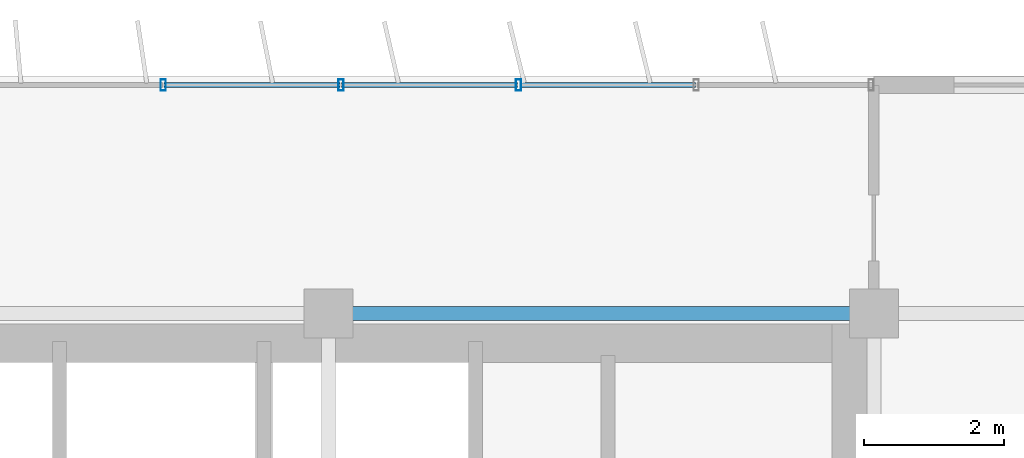
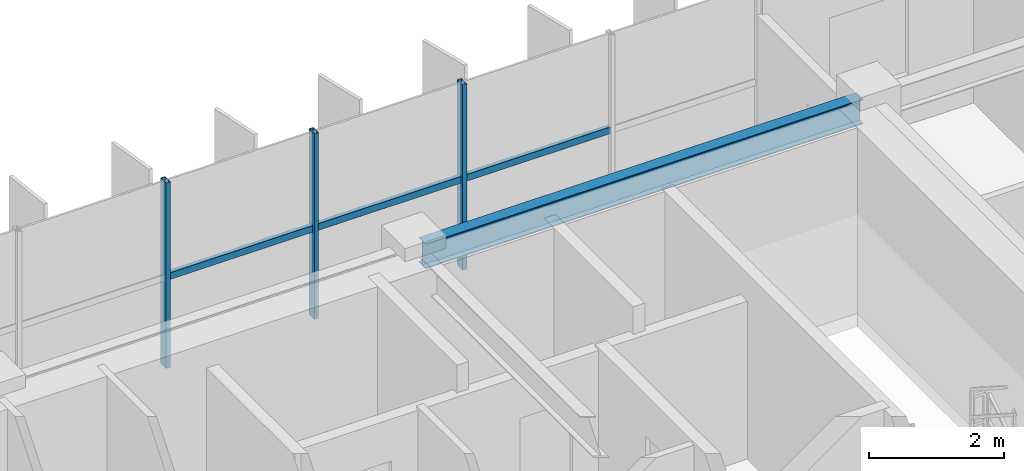
# One storey, part 12 of 23: 6 members, 1 beam, 1 element without a shape of its own.
"""IFC4 building model written with IfcOpenShell, lengths in metres."""

from ifc_helpers import new_model, si_unit, direction, frame, origin, origin_2d, place, context, subcontext, project, spatial, hollow_rectangle, i_section, extrude, source, transform, mapped, material, material_profile, profile_set, type_object, element, aggregate, save


model = new_model("IFC4")

# Units and contexts
model_context = context("Model", 3, precision=1e-05, world=origin(), true_north=direction((0.0, 1.0)))
body_context = subcontext(model_context, "Body", "Model", "MODEL_VIEW")
ifc_project = project(units=[si_unit("LENGTHUNIT", "METRE"), si_unit("AREAUNIT", "SQUARE_METRE"), si_unit("VOLUMEUNIT", "CUBIC_METRE"), si_unit("PLANEANGLEUNIT", "RADIAN"), si_unit("MASSUNIT", "GRAM", prefix="KILO")], contexts=[model_context])

# Site, building, storey
site_placement = place(None, origin())
site = spatial("IfcSite", under=ifc_project, at=site_placement, CompositionType="ELEMENT")
building_placement = place(site_placement, origin())
building = spatial("IfcBuilding", under=site, at=building_placement, Name="Trelvane Seafront Commons", CompositionType="ELEMENT")
storey_placement = place(building_placement, frame((0.0, 0.0, 219.300048828125)))
storey = spatial("IfcBuildingStorey", under=building, at=storey_placement, Name="L57", CompositionType="ELEMENT", Elevation=219.300048828125)

# Beam
ifc_material_1 = material(Name="Steel SM355 (S355)", Category="steel")
ifc_material_profile_1 = material_profile(ifc_material_1, i_section(OverallWidth=0.199951171875, OverallDepth=0.449951171875, WebThickness=0.009033203125, FlangeThickness=0.013916015625, at=origin_2d()), Name="H-450x200x9x14")
ifc_profile_set_1 = profile_set([ifc_material_profile_1], Name="Steel SM355 (S355)")
beam_type = type_object("IfcBeamType", Name="STR-SPD-H450", PredefinedType="SPANDREL", material=ifc_profile_set_1)
shared_shape_1 = source(origin(), body_context, "Body", "SweptSolid", [
    extrude(i_section(OverallWidth=0.199951171875, OverallDepth=0.449951171875, WebThickness=0.009033203125, FlangeThickness=0.013916015625, at=origin_2d()), origin(), (0.0, 0.0, 1.0), 7.5),
])
beam_placement = place(storey_placement, frame((51.14990234375, 45.10009765625, 3.135009765625), z_axis=(1.0, 0.0, 0.0), x_axis=(0.0, 1.0, 0.0)))
element("IfcBeam", 1, at=beam_placement, inside=storey, type_object=beam_type, Name="L57 Primary Girder G-27", PredefinedType="SPANDREL", context=body_context, shape_type="MappedRepresentation", body=[
    mapped(shared_shape_1, transform((0.0, 0.0, 0.0), x_axis=(1.0, 0.0, 0.0), y_axis=(0.0, 1.0, 0.0), z_axis=(0.0, 0.0, 1.0), scale=1.0)),
])

# Curtain wall, members
ifc_material_2 = material(Name="Anodised pale-silver aluminium", Category="aluminium")
curtain_wall_type = type_object("IfcCurtainWallType", Name="ARCH-CW5-UPTOWER", PredefinedType="NOTDEFINED", material=ifc_material_2)
curtain_wall_placement = place(storey_placement, origin())
curtain_wall = element("IfcCurtainWall", 2, at=curtain_wall_placement, inside=storey, type_object=curtain_wall_type, Name="CW-L57-0100", PredefinedType="NOTDEFINED")
ifc_material_profile_2 = material_profile(ifc_material_2, hollow_rectangle(XDim=0.070068359375, YDim=0.1201171875, WallThickness=0.00390625, at=origin_2d()), Name="TRAN-70x120x4")
ifc_profile_set_2 = profile_set([ifc_material_profile_2], Name="Anodised pale-silver aluminium")
member_type_1 = type_object("IfcMemberType", Name="ARCH-CW-TRAN-120", PredefinedType="USERDEFINED", material=ifc_profile_set_2)
shared_shape_2 = source(origin(), body_context, "Body", "SweptSolid", [
    extrude(hollow_rectangle(XDim=0.070068359375, YDim=0.1201171875, WallThickness=0.00390625, at=origin_2d()), origin(), (0.0, 0.0, 1.0), 2.51708984375),
])
member_1_placement = place(storey_placement, frame((51.1884765625, 48.3701171875, 1.613037109375), z_axis=(1.0, 0.0, 0.0), x_axis=(0.0, 1.0, 0.0)))
member_1 = element("IfcMember", 3, at=member_1_placement, type_object=member_type_1, Name="CW-L57-0100-T14", ObjectType="TRANSOM", PredefinedType="USERDEFINED", context=body_context, shape_type="MappedRepresentation", body=[
    mapped(shared_shape_2, transform((0.0, 0.0, 0.0), x_axis=(1.0, 0.0, 0.0), y_axis=(0.0, 1.0, 0.0), z_axis=(0.0, 0.0, 1.0), scale=1.0)),
])
shared_shape_3 = source(origin(), body_context, "Body", "SweptSolid", [
    extrude(hollow_rectangle(XDim=0.070068359375, YDim=0.1201171875, WallThickness=0.00390625, at=origin_2d()), origin(), (0.0, 0.0, 1.0), 2.517333984375),
])
member_2_placement = place(storey_placement, frame((48.647216796875, 48.3701171875, 1.613037109375), z_axis=(1.0, 0.0, 0.0), x_axis=(0.0, 1.0, 0.0)))
member_2 = element("IfcMember", 4, at=member_2_placement, type_object=member_type_1, Name="CW-L57-0100-T13", ObjectType="TRANSOM", PredefinedType="USERDEFINED", context=body_context, shape_type="MappedRepresentation", body=[
    mapped(shared_shape_3, transform((0.0, 0.0, 0.0), x_axis=(1.0, 0.0, 0.0), y_axis=(0.0, 1.0, 0.0), z_axis=(0.0, 0.0, 1.0), scale=1.0)),
])
member_3_placement = place(storey_placement, frame((53.7294921875, 48.3701171875, 1.613037109375), z_axis=(1.0, 0.0, 0.0), x_axis=(0.0, 1.0, 0.0)))
member_3 = element("IfcMember", 5, at=member_3_placement, type_object=member_type_1, Name="CW-L57-0100-T15", ObjectType="TRANSOM", PredefinedType="USERDEFINED", context=body_context, shape_type="MappedRepresentation", body=[
    mapped(shared_shape_3, transform((0.0, 0.0, 0.0), x_axis=(1.0, 0.0, 0.0), y_axis=(0.0, 1.0, 0.0), z_axis=(0.0, 0.0, 1.0), scale=1.0)),
])
ifc_material_profile_3 = material_profile(ifc_material_2, hollow_rectangle(XDim=0.074951171875, YDim=0.159912109375, WallThickness=0.00390625, at=origin_2d()), Name="MULL-75x160x4")
ifc_profile_set_3 = profile_set([ifc_material_profile_3], Name="Anodised pale-silver aluminium")
member_type_2 = type_object("IfcMemberType", Name="ARCH-CW-MULL-160", PredefinedType="MULLION", material=ifc_profile_set_3)
shared_shape_4 = source(origin(), body_context, "Body", "SweptSolid", [
    extrude(hollow_rectangle(XDim=0.074951171875, YDim=0.159912109375, WallThickness=0.00390625, at=origin_2d()), origin(), (0.0, 0.0, 1.0), 3.35986328125),
])
member_4_placement = place(storey_placement, frame((48.63525390625, 48.3701171875, 0.0), z_axis=(0.0, 0.0, 1.0), x_axis=(1.0, 0.0, 0.0)))
member_4 = element("IfcMember", 6, at=member_4_placement, type_object=member_type_2, Name="CW-L57-0100-M13", PredefinedType="MULLION", context=body_context, shape_type="MappedRepresentation", body=[
    mapped(shared_shape_4, transform((0.0, 0.0, 0.0), x_axis=(1.0, 0.0, 0.0), y_axis=(0.0, 1.0, 0.0), z_axis=(0.0, 0.0, 1.0), scale=1.0)),
])
member_5_placement = place(storey_placement, frame((51.176513671875, 48.3701171875, 0.0), z_axis=(0.0, 0.0, 1.0), x_axis=(1.0, 0.0, 0.0)))
member_5 = element("IfcMember", 7, at=member_5_placement, type_object=member_type_2, Name="CW-L57-0100-M14", PredefinedType="MULLION", context=body_context, shape_type="MappedRepresentation", body=[
    mapped(shared_shape_4, transform((0.0, 0.0, 0.0), x_axis=(1.0, 0.0, 0.0), y_axis=(0.0, 1.0, 0.0), z_axis=(0.0, 0.0, 1.0), scale=1.0)),
])
member_6_placement = place(storey_placement, frame((53.717529296875, 48.3701171875, 0.0), z_axis=(0.0, 0.0, 1.0), x_axis=(1.0, 0.0, 0.0)))
member_6 = element("IfcMember", 8, at=member_6_placement, type_object=member_type_2, Name="CW-L57-0100-M15", PredefinedType="MULLION", context=body_context, shape_type="MappedRepresentation", body=[
    mapped(shared_shape_4, transform((0.0, 0.0, 0.0), x_axis=(1.0, 0.0, 0.0), y_axis=(0.0, 1.0, 0.0), z_axis=(0.0, 0.0, 1.0), scale=1.0)),
])
aggregate(curtain_wall, [member_4, member_5, member_6, member_2, member_1, member_3])

save(model, "model.ifc")
